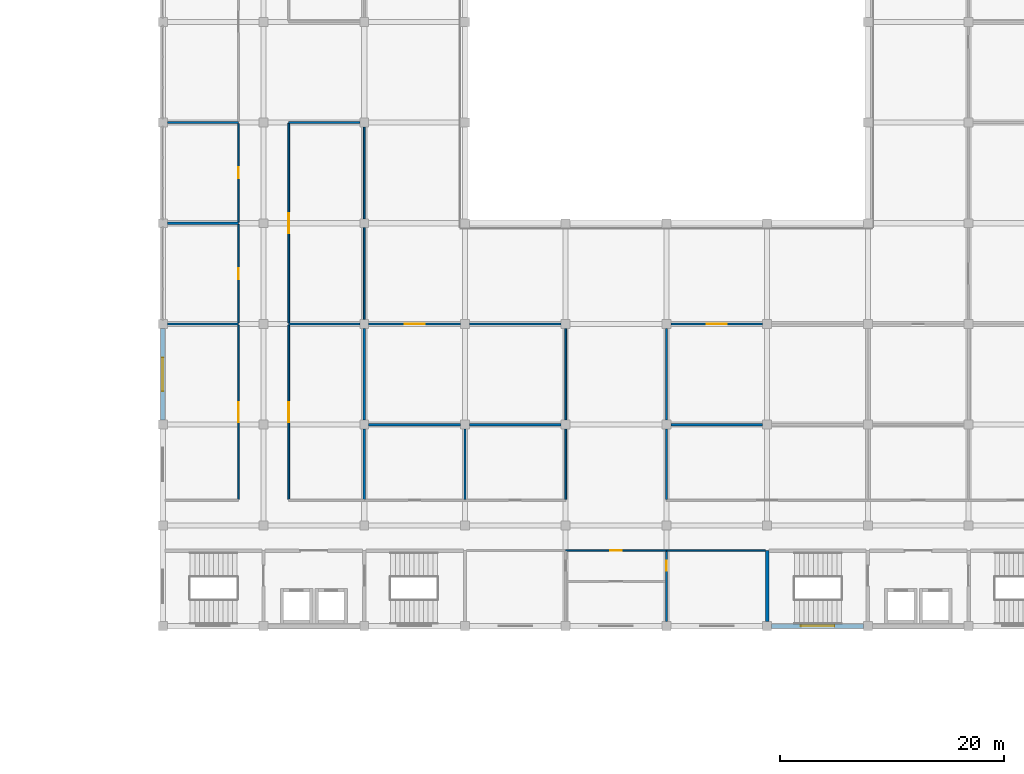
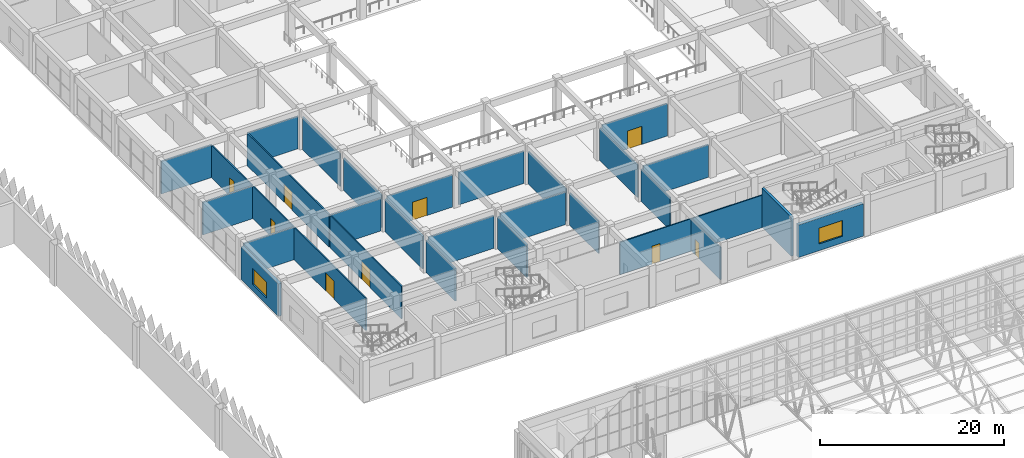
# One storey, part 123 of 185: 31 walls, 9 doors, 2 windows, 11 openings.
"""IFC4 building model written with IfcOpenShell, lengths in metres."""

from ifc_helpers import new_model, si_unit, direction, frame, frame_2d, origin, place, context, subcontext, project, spatial, rectangle, extrude, material, layer, layer_set, type_object, element, fill, save


model = new_model("IFC4")

# Units and contexts
model_context = context("Model", 3, precision=1e-05, world=origin(), true_north=direction((0.0, 1.0)))
body_context = subcontext(model_context, "Body", "Model", "MODEL_VIEW")
ifc_project = project(units=[si_unit("LENGTHUNIT", "METRE"), si_unit("AREAUNIT", "SQUARE_METRE"), si_unit("VOLUMEUNIT", "CUBIC_METRE"), si_unit("PLANEANGLEUNIT", "RADIAN"), si_unit("MASSUNIT", "GRAM", prefix="KILO")], contexts=[model_context])

# Site, building, storey
site_placement = place(None, origin())
site = spatial("IfcSite", under=ifc_project, at=site_placement, CompositionType="ELEMENT")
building_placement = place(site_placement, origin())
building = spatial("IfcBuilding", under=site, at=building_placement, Name="Opaline Strait Convention Centre", CompositionType="ELEMENT")
storey_placement = place(building_placement, frame((0.0, 0.0, 6.0)))
storey = spatial("IfcBuildingStorey", under=building, at=storey_placement, Name="L01", CompositionType="ELEMENT", Elevation=6.0)

# Walls
ifc_material_1 = material(Name="Gypsum board")
ifc_layer_1 = layer(ifc_material_1, 0.050048828125)
ifc_material_2 = material(Name="Steel stud and mineral wool", Category="steel")
ifc_layer_2 = layer(ifc_material_2, 0.10009765625)
ifc_layer_3 = layer(ifc_material_1, 0.050048828125)
ifc_layer_set_1 = layer_set([ifc_layer_1, ifc_layer_2, ifc_layer_3], Name="Gypsum board, Steel stud and mineral wool, Gypsum board")
wall_type_1 = type_object("IfcWallType", Name="Acoustic partition 200 EI45", PredefinedType="PARTITIONING", material=ifc_layer_set_1)
for number, where, z_axis, x_axis, name in (
    (1, (279.39990234375, 117.0, 0.0), (0.0, 0.0, 1.0), (1.0, 0.0, 0.0), "MPW5 partition Meeting Room 1.01 N"),
    (2, (279.39990234375, 126.0, 0.0), (0.0, 0.0, 1.0), (1.0, 0.0, 0.0), "MPW5 partition Breakout Room 1.02 N"),
    (3, (279.39990234375, 135.0, 0.0), (0.0, 0.0, 1.0), (1.0, 0.0, 0.0), "MPW5 partition Breakout Room 1.03 N"),
    (4, (290.25, 117.0, 0.0), (0.0, 0.0, 1.0), (1.0, 0.0, 0.0), "MPW5 partition Meeting Room 1.07 N"),
):
    element("IfcWall", number, at=place(storey_placement, frame(where, z_axis=z_axis, x_axis=x_axis)), inside=storey, type_object=wall_type_1, Name=name, PredefinedType="PARTITIONING", context=body_context, shape_type="SweptSolid", body=[
        extrude(rectangle(XDim=6.35009765625, YDim=0.199951171875, at=frame_2d((3.175048828125, 0.0))), origin(), (0.0, 0.0, 1.0), 4.320068359375),
    ])
wall_1_placement = place(storey_placement, frame((297.0, 101.324951171875, 0.0), z_axis=(0.0, 0.0, 1.0), x_axis=(0.0, 1.0, 0.0)))
element("IfcWall", 5, at=wall_1_placement, inside=storey, type_object=wall_type_1, Name="MPW5 partition Meeting Room 1.07 E", PredefinedType="PARTITIONING", context=body_context, shape_type="SweptSolid", body=[
    extrude(rectangle(XDim=6.275146484375, YDim=0.199951171875, at=frame_2d((3.1376953125, 0.0))), origin(), (0.0, 0.0, 1.0), 4.320068359375),
])
for number, where, z_axis, x_axis, name in (
    (6, (297.0, 108.39990234375, 0.0), (0.0, 0.0, 1.0), (0.0, 1.0, 0.0), "MPW5 partition Meeting Room 1.07 E"),
    (7, (297.39990234375, 108.0, 0.0), (0.0, 0.0, 1.0), (1.0, 0.0, 0.0), "MPW5 partition Breakout Room 1.12 N"),
):
    element("IfcWall", number, at=place(storey_placement, frame(where, z_axis=z_axis, x_axis=x_axis)), inside=storey, type_object=wall_type_1, Name=name, PredefinedType="PARTITIONING", context=body_context, shape_type="SweptSolid", body=[
        extrude(rectangle(XDim=8.2001953125, YDim=0.199951171875, at=frame_2d((4.10009765625, 0.0))), origin(), (0.0, 0.0, 1.0), 4.320068359375),
    ])
wall_2_placement = place(storey_placement, frame((306.0, 101.324951171875, 0.0), z_axis=(0.0, 0.0, 1.0), x_axis=(0.0, 1.0, 0.0)))
element("IfcWall", 8, at=wall_2_placement, inside=storey, type_object=wall_type_1, Name="MPW5 partition Breakout Room 1.12 E", PredefinedType="PARTITIONING", context=body_context, shape_type="SweptSolid", body=[
    extrude(rectangle(XDim=6.275146484375, YDim=0.199951171875, at=frame_2d((3.1376953125, 0.0))), origin(), (0.0, 0.0, 1.0), 4.320068359375),
])
for number, where, z_axis, x_axis, name in (
    (9, (306.39990234375, 108.0, 0.0), (0.0, 0.0, 1.0), (1.0, 0.0, 0.0), "MPW5 partition Breakout Room 1.13 N"),
    (10, (324.39990234375, 108.0, 0.0), (0.0, 0.0, 1.0), (1.0, 0.0, 0.0), "MPW5 partition Meeting Room 1.14 N"),
):
    element("IfcWall", number, at=place(storey_placement, frame(where, z_axis=z_axis, x_axis=x_axis)), inside=storey, type_object=wall_type_1, Name=name, PredefinedType="PARTITIONING", context=body_context, shape_type="SweptSolid", body=[
        extrude(rectangle(XDim=8.2001953125, YDim=0.199951171875, at=frame_2d((4.10009765625, 0.0))), origin(), (0.0, 0.0, 1.0), 4.320068359375),
    ])

# Wall, opening, door
ifc_layer_4 = layer(ifc_material_1, 0.032470703125)
ifc_layer_5 = layer(ifc_material_2, 0.0849609375)
ifc_layer_6 = layer(ifc_material_1, 0.032470703125)
ifc_layer_set_2 = layer_set([ifc_layer_4, ifc_layer_5, ifc_layer_6], Name="Gypsum board, Steel stud and mineral wool, Gypsum board")
wall_type_2 = type_object("IfcWallType", Name="Corridor partition 150 EI60", PredefinedType="PARTITIONING", material=ifc_layer_set_2)
wall_3_placement = place(storey_placement, frame((285.75, 101.324951171875, 0.0), z_axis=(0.0, 0.0, 1.0), x_axis=(0.0, 1.0, 0.0)))
wall_3 = element("IfcWall", 11, at=wall_3_placement, inside=storey, type_object=wall_type_2, Name="MPW1 partition Meeting Room 1.01 E", PredefinedType="PARTITIONING", context=body_context, shape_type="SweptSolid", body=[
    extrude(rectangle(XDim=15.574951171875, YDim=0.14990234375, at=frame_2d((7.78759765625, 0.0))), origin(), (0.0, 0.0, 1.0), 4.320068359375),
])
opening_1_placement = place(wall_3_placement, frame((6.887451171875, 0.0, 0.0)))
opening_1 = element("IfcOpeningElement", 12, at=opening_1_placement, cuts=wall_3, Name="Opening M1-021", PredefinedType="OPENING", context=body_context, shape_type="SweptSolid", body=[
    extrude(rectangle(XDim=1.800048828125, YDim=2.39990234375, at=frame_2d((0.89990234375, 1.199951171875))), frame((0.0, 0.0849609375, 0.0), z_axis=(0.0, -1.0, 0.0), x_axis=(1.0, 0.0, 0.0)), (0.0, 0.0, 1.0), 0.169921875),
])
ifc_material_3 = material(Name="Solid-core timber leaf, steel frame door set", Category="steel")
door_type_1 = type_object("IfcDoorType", Name="Meeting room double door FD30 1800 x 2400", OperationType="DOUBLE_DOOR_SINGLE_SWING", PredefinedType="DOOR", material=ifc_material_3)
door_1_placement = place(opening_1_placement, frame((1.800048828125, 0.0, 0.0), z_axis=(0.0, 0.0, 1.0), x_axis=(-1.0, 0.0, 0.0)))
door_1 = element("IfcDoor", 13, at=door_1_placement, inside=storey, type_object=door_type_1, Name="Door Meeting Room 1.01", ObjectType="MD7", OperationType="DOUBLE_DOOR_SINGLE_SWING", OverallHeight=2.39990234375, OverallWidth=1.800048828125, PredefinedType="DOOR", context=body_context, shape_type="SweptSolid", body=[
    extrude(rectangle(XDim=1.800048828125, YDim=2.39990234375, at=frame_2d((0.89990234375, 1.199951171875))), frame((0.0, 0.02490234375, 0.0), z_axis=(0.0, -1.0, 0.0), x_axis=(1.0, 0.0, 0.0)), (0.0, 0.0, 1.0), 0.050048828125),
])
fill(opening_1, door_1)

wall_4_placement = place(storey_placement, frame((285.75, 117.10009765625, 0.0), z_axis=(0.0, 0.0, 1.0), x_axis=(0.0, 1.0, 0.0)))
wall_4 = element("IfcWall", 14, at=wall_4_placement, inside=storey, type_object=wall_type_2, Name="MPW1 partition Breakout Room 1.02 E", PredefinedType="PARTITIONING", context=body_context, shape_type="SweptSolid", body=[
    extrude(rectangle(XDim=8.7998046875, YDim=0.14990234375, at=frame_2d((4.39990234375, 0.0))), origin(), (0.0, 0.0, 1.0), 4.320068359375),
])
opening_2_placement = place(wall_4_placement, frame((3.89990234375, 0.0, 0.0)))
opening_2 = element("IfcOpeningElement", 15, at=opening_2_placement, cuts=wall_4, Name="Opening M1-022", PredefinedType="OPENING", context=body_context, shape_type="SweptSolid", body=[
    extrude(rectangle(XDim=1.0, YDim=2.39990234375, at=frame_2d((0.5, 1.199951171875))), frame((0.0, 0.0849609375, 0.0), z_axis=(0.0, -1.0, 0.0), x_axis=(1.0, 0.0, 0.0)), (0.0, 0.0, 1.0), 0.169921875),
])
door_type_2 = type_object("IfcDoorType", Name="Meeting room door FD30 1000 x 2400", OperationType="SINGLE_SWING_LEFT", PredefinedType="DOOR", material=ifc_material_3)
door_2_placement = place(opening_2_placement, frame((1.0, 0.0, 0.0), z_axis=(0.0, 0.0, 1.0), x_axis=(-1.0, 0.0, 0.0)))
door_2 = element("IfcDoor", 16, at=door_2_placement, inside=storey, type_object=door_type_2, Name="Door Breakout Room 1.02", ObjectType="MD8", OperationType="SINGLE_SWING_RIGHT", OverallHeight=2.39990234375, OverallWidth=1.0, PredefinedType="DOOR", context=body_context, shape_type="SweptSolid", body=[
    extrude(rectangle(XDim=1.0, YDim=2.39990234375, at=frame_2d((0.5, 1.199951171875))), frame((0.0, 0.02490234375, 0.0), z_axis=(0.0, -1.0, 0.0), x_axis=(1.0, 0.0, 0.0)), (0.0, 0.0, 1.0), 0.050048828125),
])
fill(opening_2, door_2)

wall_5_placement = place(storey_placement, frame((285.75, 126.10009765625, 0.0), z_axis=(0.0, 0.0, 1.0), x_axis=(0.0, 1.0, 0.0)))
wall_5 = element("IfcWall", 17, at=wall_5_placement, inside=storey, type_object=wall_type_2, Name="MPW1 partition Breakout Room 1.03 E", PredefinedType="PARTITIONING", context=body_context, shape_type="SweptSolid", body=[
    extrude(rectangle(XDim=8.7998046875, YDim=0.14990234375, at=frame_2d((4.39990234375, 0.0))), origin(), (0.0, 0.0, 1.0), 4.320068359375),
])
opening_3_placement = place(wall_5_placement, frame((3.89990234375, 0.0, 0.0)))
opening_3 = element("IfcOpeningElement", 18, at=opening_3_placement, cuts=wall_5, Name="Opening M1-023", PredefinedType="OPENING", context=body_context, shape_type="SweptSolid", body=[
    extrude(rectangle(XDim=1.0, YDim=2.39990234375, at=frame_2d((0.5, 1.199951171875))), frame((0.0, 0.0849609375, 0.0), z_axis=(0.0, -1.0, 0.0), x_axis=(1.0, 0.0, 0.0)), (0.0, 0.0, 1.0), 0.169921875),
])
door_3_placement = place(opening_3_placement, frame((1.0, 0.0, 0.0), z_axis=(0.0, 0.0, 1.0), x_axis=(-1.0, 0.0, 0.0)))
door_3 = element("IfcDoor", 19, at=door_3_placement, inside=storey, type_object=door_type_2, Name="Door Breakout Room 1.03", ObjectType="MD8", OperationType="SINGLE_SWING_RIGHT", OverallHeight=2.39990234375, OverallWidth=1.0, PredefinedType="DOOR", context=body_context, shape_type="SweptSolid", body=[
    extrude(rectangle(XDim=1.0, YDim=2.39990234375, at=frame_2d((0.5, 1.199951171875))), frame((0.0, 0.02490234375, 0.0), z_axis=(0.0, -1.0, 0.0), x_axis=(1.0, 0.0, 0.0)), (0.0, 0.0, 1.0), 0.050048828125),
])
fill(opening_3, door_3)

wall_6_placement = place(storey_placement, frame((290.25, 101.324951171875, 0.0), z_axis=(0.0, 0.0, 1.0), x_axis=(0.0, 1.0, 0.0)))
wall_6 = element("IfcWall", 20, at=wall_6_placement, inside=storey, type_object=wall_type_2, Name="MPW1 partition Meeting Room 1.07 W", PredefinedType="PARTITIONING", context=body_context, shape_type="SweptSolid", body=[
    extrude(rectangle(XDim=15.574951171875, YDim=0.14990234375, at=frame_2d((7.78759765625, 0.0))), origin(), (0.0, 0.0, 1.0), 4.320068359375),
])
opening_4_placement = place(wall_6_placement, frame((6.887451171875, 0.0, 0.0)))
opening_4 = element("IfcOpeningElement", 21, at=opening_4_placement, cuts=wall_6, Name="Opening M1-027", PredefinedType="OPENING", context=body_context, shape_type="SweptSolid", body=[
    extrude(rectangle(XDim=1.800048828125, YDim=2.39990234375, at=frame_2d((0.89990234375, 1.199951171875))), frame((0.0, 0.0849609375, 0.0), z_axis=(0.0, -1.0, 0.0), x_axis=(1.0, 0.0, 0.0)), (0.0, 0.0, 1.0), 0.169921875),
])
door_4_placement = place(opening_4_placement, origin())
door_4 = element("IfcDoor", 22, at=door_4_placement, inside=storey, type_object=door_type_1, Name="Door Meeting Room 1.07", ObjectType="MD7", OperationType="DOUBLE_DOOR_SINGLE_SWING", OverallHeight=2.39990234375, OverallWidth=1.800048828125, PredefinedType="DOOR", context=body_context, shape_type="SweptSolid", body=[
    extrude(rectangle(XDim=1.800048828125, YDim=2.39990234375, at=frame_2d((0.89990234375, 1.199951171875))), frame((0.0, 0.02490234375, 0.0), z_axis=(0.0, -1.0, 0.0), x_axis=(1.0, 0.0, 0.0)), (0.0, 0.0, 1.0), 0.050048828125),
])
fill(opening_4, door_4)

# Wall
wall_7_placement = place(storey_placement, frame((290.25, 135.0, 0.0), z_axis=(0.0, 0.0, 1.0), x_axis=(1.0, 0.0, 0.0)))
element("IfcWall", 23, at=wall_7_placement, inside=storey, type_object=wall_type_2, Name="MPW1 partition Seminar Room 1.08 N", PredefinedType="PARTITIONING", context=body_context, shape_type="SweptSolid", body=[
    extrude(rectangle(XDim=6.35009765625, YDim=0.14990234375, at=frame_2d((3.175048828125, 0.0))), origin(), (0.0, 0.0, 1.0), 4.320068359375),
])

# Wall, opening, door
wall_8_placement = place(storey_placement, frame((290.25, 117.10009765625, 0.0), z_axis=(0.0, 0.0, 1.0), x_axis=(0.0, 1.0, 0.0)))
wall_8 = element("IfcWall", 24, at=wall_8_placement, inside=storey, type_object=wall_type_2, Name="MPW1 partition Seminar Room 1.08 W", PredefinedType="PARTITIONING", context=body_context, shape_type="SweptSolid", body=[
    extrude(rectangle(XDim=17.824951171875, YDim=0.14990234375, at=frame_2d((8.91259765625, 0.0))), origin(), (0.0, 0.0, 1.0), 4.320068359375),
])
opening_5_placement = place(wall_8_placement, frame((8.012451171875, 0.0, 0.0)))
opening_5 = element("IfcOpeningElement", 25, at=opening_5_placement, cuts=wall_8, Name="Opening M1-028", PredefinedType="OPENING", context=body_context, shape_type="SweptSolid", body=[
    extrude(rectangle(XDim=1.800048828125, YDim=2.39990234375, at=frame_2d((0.89990234375, 1.199951171875))), frame((0.0, 0.0849609375, 0.0), z_axis=(0.0, -1.0, 0.0), x_axis=(1.0, 0.0, 0.0)), (0.0, 0.0, 1.0), 0.169921875),
])
door_5_placement = place(opening_5_placement, origin())
door_5 = element("IfcDoor", 26, at=door_5_placement, inside=storey, type_object=door_type_1, Name="Door Seminar Room 1.08", ObjectType="MD7", OperationType="DOUBLE_DOOR_SINGLE_SWING", OverallHeight=2.39990234375, OverallWidth=1.800048828125, PredefinedType="DOOR", context=body_context, shape_type="SweptSolid", body=[
    extrude(rectangle(XDim=1.800048828125, YDim=2.39990234375, at=frame_2d((0.89990234375, 1.199951171875))), frame((0.0, 0.02490234375, 0.0), z_axis=(0.0, -1.0, 0.0), x_axis=(1.0, 0.0, 0.0)), (0.0, 0.0, 1.0), 0.050048828125),
])
fill(opening_5, door_5)

# Walls
for number, where, z_axis, x_axis, name in (
    (27, (297.0, 117.39990234375, 0.0), (0.0, 0.0, 1.0), (0.0, 1.0, 0.0), "MPW1 partition Seminar Room 1.08 E"),
    (28, (297.0, 126.39990234375, 0.0), (0.0, 0.0, 1.0), (0.0, 1.0, 0.0), "MPW1 partition Seminar Room 1.08 E"),
):
    element("IfcWall", number, at=place(storey_placement, frame(where, z_axis=z_axis, x_axis=x_axis)), inside=storey, type_object=wall_type_2, Name=name, PredefinedType="PARTITIONING", context=body_context, shape_type="SweptSolid", body=[
        extrude(rectangle(XDim=8.2001953125, YDim=0.14990234375, at=frame_2d((4.10009765625, 0.0))), origin(), (0.0, 0.0, 1.0), 4.320068359375),
    ])
for number, where, z_axis, x_axis, name in (
    (29, (315.0, 101.324951171875, 0.0), (0.0, 0.0, 1.0), (0.0, 1.0, 0.0), "MPW1 partition Breakout Room 1.13 E"),
    (30, (324.0, 101.324951171875, 0.0), (0.0, 0.0, 1.0), (0.0, 1.0, 0.0), "MPW1 partition Meeting Room 1.14 W"),
):
    element("IfcWall", number, at=place(storey_placement, frame(where, z_axis=z_axis, x_axis=x_axis)), inside=storey, type_object=wall_type_2, Name=name, PredefinedType="PARTITIONING", context=body_context, shape_type="SweptSolid", body=[
        extrude(rectangle(XDim=6.275146484375, YDim=0.14990234375, at=frame_2d((3.1376953125, 0.0))), origin(), (0.0, 0.0, 1.0), 4.320068359375),
    ])

# Wall, opening, door
wall_9_placement = place(storey_placement, frame((297.39990234375, 117.0, 0.0), z_axis=(0.0, 0.0, 1.0), x_axis=(1.0, 0.0, 0.0)))
wall_9 = element("IfcWall", 31, at=wall_9_placement, inside=storey, type_object=wall_type_2, Name="MPW1 partition Seminar Room 1.16 N", PredefinedType="PARTITIONING", context=body_context, shape_type="SweptSolid", body=[
    extrude(rectangle(XDim=8.2001953125, YDim=0.14990234375, at=frame_2d((4.10009765625, 0.0))), origin(), (0.0, 0.0, 1.0), 4.320068359375),
])
opening_6_placement = place(wall_9_placement, frame((3.2001953125, 0.0, 0.0)))
opening_6 = element("IfcOpeningElement", 32, at=opening_6_placement, cuts=wall_9, Name="Opening M1-036", PredefinedType="OPENING", context=body_context, shape_type="SweptSolid", body=[
    extrude(rectangle(XDim=1.800048828125, YDim=2.39990234375, at=frame_2d((0.89990234375, 1.199951171875))), frame((0.0, 0.0849609375, 0.0), z_axis=(0.0, -1.0, 0.0), x_axis=(1.0, 0.0, 0.0)), (0.0, 0.0, 1.0), 0.169921875),
])
door_6_placement = place(opening_6_placement, origin())
door_6 = element("IfcDoor", 33, at=door_6_placement, inside=storey, type_object=door_type_1, Name="Door Seminar Room 1.16", ObjectType="MD7", OperationType="DOUBLE_DOOR_SINGLE_SWING", OverallHeight=2.39990234375, OverallWidth=1.800048828125, PredefinedType="DOOR", context=body_context, shape_type="SweptSolid", body=[
    extrude(rectangle(XDim=1.800048828125, YDim=2.39990234375, at=frame_2d((0.89990234375, 1.199951171875))), frame((0.0, 0.02490234375, 0.0), z_axis=(0.0, -1.0, 0.0), x_axis=(1.0, 0.0, 0.0)), (0.0, 0.0, 1.0), 0.050048828125),
])
fill(opening_6, door_6)

# Walls
for number, where, z_axis, x_axis, name in (
    (34, (306.39990234375, 117.0, 0.0), (0.0, 0.0, 1.0), (1.0, 0.0, 0.0), "MPW1 partition Seminar Room 1.16 N"),
    (35, (315.0, 108.39990234375, 0.0), (0.0, 0.0, 1.0), (0.0, 1.0, 0.0), "MPW1 partition Seminar Room 1.16 E"),
):
    element("IfcWall", number, at=place(storey_placement, frame(where, z_axis=z_axis, x_axis=x_axis)), inside=storey, type_object=wall_type_2, Name=name, PredefinedType="PARTITIONING", context=body_context, shape_type="SweptSolid", body=[
        extrude(rectangle(XDim=8.2001953125, YDim=0.14990234375, at=frame_2d((4.10009765625, 0.0))), origin(), (0.0, 0.0, 1.0), 4.320068359375),
    ])

# Wall, opening, door
wall_10_placement = place(storey_placement, frame((324.39990234375, 117.0, 0.0), z_axis=(0.0, 0.0, 1.0), x_axis=(1.0, 0.0, 0.0)))
wall_10 = element("IfcWall", 36, at=wall_10_placement, inside=storey, type_object=wall_type_2, Name="MPW1 partition Meeting Room 1.17 N", PredefinedType="PARTITIONING", context=body_context, shape_type="SweptSolid", body=[
    extrude(rectangle(XDim=8.2001953125, YDim=0.14990234375, at=frame_2d((4.10009765625, 0.0))), origin(), (0.0, 0.0, 1.0), 4.320068359375),
])
opening_7_placement = place(wall_10_placement, frame((3.2001953125, 0.0, 0.0)))
opening_7 = element("IfcOpeningElement", 37, at=opening_7_placement, cuts=wall_10, Name="Opening M1-037", PredefinedType="OPENING", context=body_context, shape_type="SweptSolid", body=[
    extrude(rectangle(XDim=1.800048828125, YDim=2.39990234375, at=frame_2d((0.89990234375, 1.199951171875))), frame((0.0, 0.0849609375, 0.0), z_axis=(0.0, -1.0, 0.0), x_axis=(1.0, 0.0, 0.0)), (0.0, 0.0, 1.0), 0.169921875),
])
door_7_placement = place(opening_7_placement, origin())
door_7 = element("IfcDoor", 38, at=door_7_placement, inside=storey, type_object=door_type_1, Name="Door Meeting Room 1.17", ObjectType="MD7", OperationType="DOUBLE_DOOR_SINGLE_SWING", OverallHeight=2.39990234375, OverallWidth=1.800048828125, PredefinedType="DOOR", context=body_context, shape_type="SweptSolid", body=[
    extrude(rectangle(XDim=1.800048828125, YDim=2.39990234375, at=frame_2d((0.89990234375, 1.199951171875))), frame((0.0, 0.02490234375, 0.0), z_axis=(0.0, -1.0, 0.0), x_axis=(1.0, 0.0, 0.0)), (0.0, 0.0, 1.0), 0.050048828125),
])
fill(opening_7, door_7)

# Walls
wall_11_placement = place(storey_placement, frame((324.0, 108.39990234375, 0.0), z_axis=(0.0, 0.0, 1.0), x_axis=(0.0, 1.0, 0.0)))
element("IfcWall", 39, at=wall_11_placement, inside=storey, type_object=wall_type_2, Name="MPW1 partition Meeting Room 1.17 W", PredefinedType="PARTITIONING", context=body_context, shape_type="SweptSolid", body=[
    extrude(rectangle(XDim=8.2001953125, YDim=0.14990234375, at=frame_2d((4.10009765625, 0.0))), origin(), (0.0, 0.0, 1.0), 4.320068359375),
])
wall_12_placement = place(storey_placement, frame((324.0, 96.75, 0.0), z_axis=(0.0, 0.0, 1.0), x_axis=(1.0, 0.0, 0.0)))
element("IfcWall", 40, at=wall_12_placement, inside=storey, type_object=wall_type_2, Name="MPW1 partition Women's WC 1.S N", PredefinedType="PARTITIONING", context=body_context, shape_type="SweptSolid", body=[
    extrude(rectangle(XDim=8.85009765625, YDim=0.14990234375, at=frame_2d((4.425048828125, 0.0))), origin(), (0.0, 0.0, 1.0), 4.320068359375),
])

# Wall, opening, door
wall_13_placement = place(storey_placement, frame((315.0, 96.75, 0.0), z_axis=(0.0, 0.0, 1.0), x_axis=(1.0, 0.0, 0.0)))
wall_13 = element("IfcWall", 41, at=wall_13_placement, inside=storey, type_object=wall_type_2, Name="MPW1 partition WC Lobby 1.S N", PredefinedType="PARTITIONING", context=body_context, shape_type="SweptSolid", body=[
    extrude(rectangle(XDim=9.0, YDim=0.14990234375, at=frame_2d((4.5, 0.0))), origin(), (0.0, 0.0, 1.0), 4.320068359375),
])
opening_8_placement = place(wall_13_placement, frame((4.0, 0.0, 0.0)))
opening_8 = element("IfcOpeningElement", 42, at=opening_8_placement, cuts=wall_13, Name="Opening M1-051", PredefinedType="OPENING", context=body_context, shape_type="SweptSolid", body=[
    extrude(rectangle(XDim=1.0, YDim=2.39990234375, at=frame_2d((0.5, 1.199951171875))), frame((0.0, 0.0849609375, 0.0), z_axis=(0.0, -1.0, 0.0), x_axis=(1.0, 0.0, 0.0)), (0.0, 0.0, 1.0), 0.169921875),
])
door_8_placement = place(opening_8_placement, origin())
door_8 = element("IfcDoor", 43, at=door_8_placement, inside=storey, type_object=door_type_2, Name="Door WC Lobby 1.S", ObjectType="MD8", OperationType="SINGLE_SWING_LEFT", OverallHeight=2.39990234375, OverallWidth=1.0, PredefinedType="DOOR", context=body_context, shape_type="SweptSolid", body=[
    extrude(rectangle(XDim=1.0, YDim=2.39990234375, at=frame_2d((0.5, 1.199951171875))), frame((0.0, 0.02490234375, 0.0), z_axis=(0.0, -1.0, 0.0), x_axis=(1.0, 0.0, 0.0)), (0.0, 0.0, 1.0), 0.050048828125),
])
fill(opening_8, door_8)

# Wall, opening, window
ifc_material_4 = material(Name="Concrete C40 precast", Category="concrete")
ifc_layer_7 = layer(ifc_material_4, 0.10009765625)
ifc_material_5 = material(Name="Mineral wool insulation")
ifc_layer_8 = layer(ifc_material_5, 0.14990234375)
ifc_layer_9 = layer(ifc_material_4, 0.14990234375)
ifc_layer_set_3 = layer_set([ifc_layer_7, ifc_layer_8, ifc_layer_9], Name="Concrete C40 precast, Mineral wool insulation, Concrete C40 precast")
wall_type_3 = type_object("IfcWallType", Name="External wall 400 insulated precast EI60", PredefinedType="STANDARD", material=ifc_layer_set_3)
wall_14_placement = place(storey_placement, frame((333.39990234375, 90.0, 0.0), z_axis=(0.0, 0.0, 1.0), x_axis=(1.0, 0.0, 0.0)))
wall_14 = element("IfcWall", 44, at=wall_14_placement, inside=storey, type_object=wall_type_3, Name="External wall S L01 38/L", PredefinedType="STANDARD", context=body_context, shape_type="SweptSolid", body=[
    extrude(rectangle(XDim=8.2001953125, YDim=0.39990234375, at=frame_2d((4.10009765625, 0.0))), origin(), (0.0, 0.0, 1.0), 4.320068359375),
])
opening_9_placement = place(wall_14_placement, frame((2.60009765625, 0.0, 0.89990234375)))
opening_9 = element("IfcOpeningElement", 45, at=opening_9_placement, cuts=wall_14, Name="Opening MW2", PredefinedType="OPENING", context=body_context, shape_type="SweptSolid", body=[
    extrude(rectangle(XDim=3.0, YDim=2.10009765625, at=frame_2d((1.5, 1.050048828125))), frame((0.0, 0.2099609375, 0.0), z_axis=(0.0, -1.0, 0.0), x_axis=(1.0, 0.0, 0.0)), (0.0, 0.0, 1.0), 0.419921875),
])
ifc_material_6 = material(Name="Aluminium framed double glazing", Category="aluminium")
window_type = type_object("IfcWindowType", Name="Window 3000 x 2100", PartitioningType="TRIPLE_PANEL_VERTICAL", PredefinedType="WINDOW", material=ifc_material_6)
window_1_placement = place(opening_9_placement, origin())
window_1 = element("IfcWindow", 46, at=window_1_placement, inside=storey, type_object=window_type, Name="Window Escape Stair S4 S", OverallHeight=2.10009765625, OverallWidth=3.0, PartitioningType="TRIPLE_PANEL_VERTICAL", PredefinedType="WINDOW", context=body_context, shape_type="SweptSolid", body=[
    extrude(rectangle(XDim=3.0, YDim=2.10009765625, at=frame_2d((1.5, 1.050048828125))), frame((0.0, 0.030029296875, 0.0), z_axis=(0.0, -1.0, 0.0), x_axis=(1.0, 0.0, 0.0)), (0.0, 0.0, 1.0), 0.06005859375),
])
fill(opening_9, window_1)

wall_15_placement = place(storey_placement, frame((279.0, 108.39990234375, 0.0), z_axis=(0.0, 0.0, 1.0), x_axis=(0.0, 1.0, 0.0)))
wall_15 = element("IfcWall", 47, at=wall_15_placement, inside=storey, type_object=wall_type_3, Name="External wall W L01 32/N", PredefinedType="STANDARD", context=body_context, shape_type="SweptSolid", body=[
    extrude(rectangle(XDim=8.2001953125, YDim=0.39990234375, at=frame_2d((4.10009765625, 0.0))), origin(), (0.0, 0.0, 1.0), 4.320068359375),
])
opening_10_placement = place(wall_15_placement, frame((2.60009765625, 0.0, 0.89990234375)))
opening_10 = element("IfcOpeningElement", 48, at=opening_10_placement, cuts=wall_15, Name="Opening MW2", PredefinedType="OPENING", context=body_context, shape_type="SweptSolid", body=[
    extrude(rectangle(XDim=3.0, YDim=2.10009765625, at=frame_2d((1.5, 1.050048828125))), frame((0.0, 0.2099609375, 0.0), z_axis=(0.0, -1.0, 0.0), x_axis=(1.0, 0.0, 0.0)), (0.0, 0.0, 1.0), 0.419921875),
])
window_2_placement = place(opening_10_placement, origin())
window_2 = element("IfcWindow", 49, at=window_2_placement, inside=storey, type_object=window_type, Name="Window Meeting Room 1.01 W", OverallHeight=2.10009765625, OverallWidth=3.0, PartitioningType="TRIPLE_PANEL_VERTICAL", PredefinedType="WINDOW", context=body_context, shape_type="SweptSolid", body=[
    extrude(rectangle(XDim=3.0, YDim=2.10009765625, at=frame_2d((1.5, 1.050048828125))), frame((0.0, 0.030029296875, 0.0), z_axis=(0.0, -1.0, 0.0), x_axis=(1.0, 0.0, 0.0)), (0.0, 0.0, 1.0), 0.06005859375),
])
fill(opening_10, window_2)

# Wall
ifc_material_7 = material(Name="Concrete C40", Category="concrete")
ifc_layer_10 = layer(ifc_material_7, 0.300048828125)
ifc_layer_set_4 = layer_set([ifc_layer_10], Name="Concrete C40")
wall_type_4 = type_object("IfcWallType", Name="RC core wall 300 C40", PredefinedType="SHEAR", material=ifc_layer_set_4)
wall_16_placement = place(storey_placement, frame((333.0, 90.39990234375, 0.0), z_axis=(0.0, 0.0, 1.0), x_axis=(0.0, 1.0, 0.0)))
element("IfcWall", 50, at=wall_16_placement, inside=storey, type_object=wall_type_4, Name="Core wall SE-L01", PredefinedType="SHEAR", context=body_context, shape_type="SweptSolid", body=[
    extrude(rectangle(XDim=6.35009765625, YDim=0.300048828125, at=frame_2d((3.175048828125, 0.0))), origin(), (0.0, 0.0, 1.0), 5.219970703125),
])

# Wall, opening, door
ifc_layer_11 = layer(ifc_material_1, 0.032470703125)
ifc_layer_12 = layer(ifc_material_2, 0.0849609375)
ifc_layer_13 = layer(ifc_material_1, 0.032470703125)
ifc_layer_set_5 = layer_set([ifc_layer_11, ifc_layer_12, ifc_layer_13], Name="Gypsum board, Steel stud and mineral wool, Gypsum board")
wall_type_5 = type_object("IfcWallType", Name="Wet-area partition 150 EI45", PredefinedType="PARTITIONING", material=ifc_layer_set_5)
wall_17_placement = place(storey_placement, frame((324.0, 90.39990234375, 0.0), z_axis=(0.0, 0.0, 1.0), x_axis=(0.0, 1.0, 0.0)))
wall_17 = element("IfcWall", 51, at=wall_17_placement, inside=storey, type_object=wall_type_5, Name="MPW4 partition Women's WC 1.S W", PredefinedType="PARTITIONING", context=body_context, shape_type="SweptSolid", body=[
    extrude(rectangle(XDim=6.275146484375, YDim=0.14990234375, at=frame_2d((3.1376953125, 0.0))), origin(), (0.0, 0.0, 1.0), 4.320068359375),
])
opening_11_placement = place(wall_17_placement, frame((4.550048828125, 0.0, 0.0)))
opening_11 = element("IfcOpeningElement", 52, at=opening_11_placement, cuts=wall_17, Name="Opening M1-049", PredefinedType="OPENING", context=body_context, shape_type="SweptSolid", body=[
    extrude(rectangle(XDim=0.89990234375, YDim=2.10009765625, at=frame_2d((0.449951171875, 1.050048828125))), frame((0.0, 0.0849609375, 0.0), z_axis=(0.0, -1.0, 0.0), x_axis=(1.0, 0.0, 0.0)), (0.0, 0.0, 1.0), 0.169921875),
])
door_type_3 = type_object("IfcDoorType", Name="WC door 900 x 2100", OperationType="SINGLE_SWING_LEFT", PredefinedType="DOOR", material=ifc_material_3)
door_9_placement = place(opening_11_placement, frame((0.89990234375, 0.0, 0.0), z_axis=(0.0, 0.0, 1.0), x_axis=(-1.0, 0.0, 0.0)))
door_9 = element("IfcDoor", 53, at=door_9_placement, inside=storey, type_object=door_type_3, Name="Door Women's WC 1.S", ObjectType="MD11", OperationType="SINGLE_SWING_RIGHT", OverallHeight=2.10009765625, OverallWidth=0.89990234375, PredefinedType="DOOR", context=body_context, shape_type="SweptSolid", body=[
    extrude(rectangle(XDim=0.89990234375, YDim=2.10009765625, at=frame_2d((0.449951171875, 1.050048828125))), frame((0.0, 0.02490234375, 0.0), z_axis=(0.0, -1.0, 0.0), x_axis=(1.0, 0.0, 0.0)), (0.0, 0.0, 1.0), 0.050048828125),
])
fill(opening_11, door_9)

save(model, "model.ifc")
